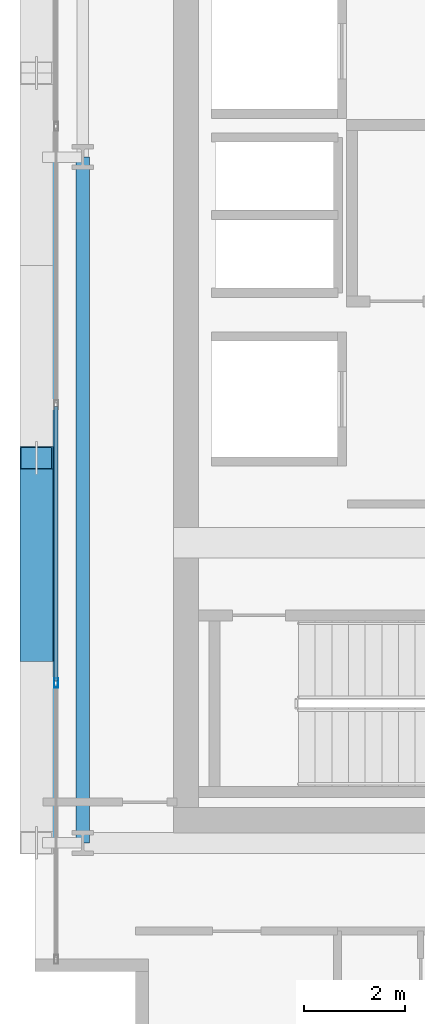
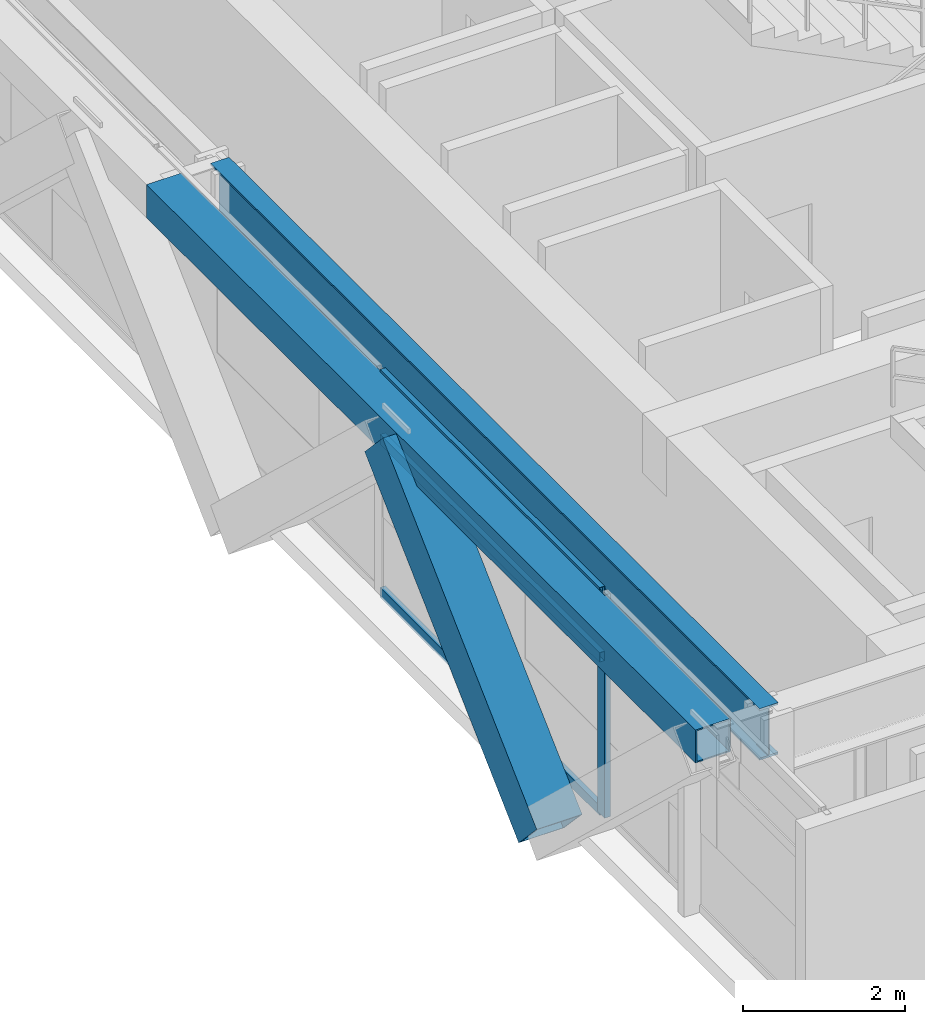
# One storey, part 4 of 32: 5 members, 2 beams, 1 element without a shape of its own.
"""IFC4 building model written with IfcOpenShell, lengths in metres."""

from ifc_helpers import new_model, si_unit, direction, frame, origin, origin_2d, place, context, subcontext, project, spatial, hollow_rectangle, i_section, extrude, source, transform, mapped, material, layer, layer_set, material_profile, profile_set, type_object, element, aggregate, save


model = new_model("IFC4")

# Units and contexts
model_context = context("Model", 3, precision=1e-05, world=origin(), true_north=direction((0.0, 1.0)))
body_context = subcontext(model_context, "Body", "Model", "MODEL_VIEW")
ifc_project = project(units=[si_unit("LENGTHUNIT", "METRE"), si_unit("AREAUNIT", "SQUARE_METRE"), si_unit("VOLUMEUNIT", "CUBIC_METRE"), si_unit("PLANEANGLEUNIT", "RADIAN"), si_unit("MASSUNIT", "GRAM", prefix="KILO")], contexts=[model_context])

# Site, building, storey
site_placement = place(None, origin())
site = spatial("IfcSite", under=ifc_project, at=site_placement, CompositionType="ELEMENT")
building_placement = place(site_placement, origin())
building = spatial("IfcBuilding", under=site, at=building_placement, Name="Ocotamira Hotel", CompositionType="ELEMENT")
storey_placement = place(building_placement, frame((0.0, 0.0, 184.800048828125)))
storey = spatial("IfcBuildingStorey", under=building, at=storey_placement, Name="L46", CompositionType="ELEMENT", Elevation=184.800048828125)

# Beams
ifc_material_1 = material(Name="Steel ASTM A992 Grade 50", Category="steel")
ifc_material_profile_1 = material_profile(ifc_material_1, i_section(OverallWidth=0.26611328125, OverallDepth=0.779052734375, WebThickness=0.0166015625, FlangeThickness=0.030029296875, FilletRadius=0.01806640625, at=origin_2d()), Name="W30X148")
ifc_profile_set_1 = profile_set([ifc_material_profile_1], Name="Steel ASTM A992 Grade 50")
beam_type_1 = type_object("IfcBeamType", Name="BM-GIRD-W30X148", PredefinedType="BEAM", material=ifc_profile_set_1)
shared_shape_1 = source(origin(), body_context, "Body", "SweptSolid", [
    extrude(i_section(OverallWidth=0.26611328125, OverallDepth=0.779052734375, WebThickness=0.0166015625, FlangeThickness=0.030029296875, FilletRadius=0.01806640625, at=origin_2d()), origin(), (0.0, 0.0, 1.0), 13.599853515625),
])
beam_1_placement = place(storey_placement, frame((8.949951171875, 14.550048828125, 2.98046875), z_axis=(0.0, 1.0, 0.0), x_axis=(-1.0, 0.0, 0.0)))
element("IfcBeam", 1, at=beam_1_placement, inside=storey, type_object=beam_type_1, Name="L46 Beam X8.95 Y14.55-28.15", PredefinedType="BEAM", context=body_context, shape_type="MappedRepresentation", body=[
    mapped(shared_shape_1, transform((0.0, 0.0, 0.0), scale=1.0)),
])
ifc_material_2 = material(Name="Steel ASTM A500 Grade C", Category="steel")
ifc_material_profile_2 = material_profile(ifc_material_2, hollow_rectangle(XDim=0.5, YDim=0.5, WallThickness=0.02001953125, at=origin_2d()), Name="HSS500X500X20")
ifc_profile_set_2 = profile_set([ifc_material_profile_2], Name="Steel ASTM A500 Grade C")
beam_type_2 = type_object("IfcBeamType", Name="BM-SPAN-HSS500", PredefinedType="USERDEFINED", material=ifc_profile_set_2)
shared_shape_2 = source(origin(), body_context, "Body", "SweptSolid", [
    extrude(hollow_rectangle(XDim=0.5, YDim=0.5, WallThickness=0.02001953125, at=origin_2d()), origin(), (0.0, 0.0, 1.0), 13.599853515625),
])
beam_2_placement = place(storey_placement, frame((8.14990234375, 14.550048828125, 3.119873046875), z_axis=(0.0, 1.0, 0.0), x_axis=(-1.0, 0.0, 0.0)))
element("IfcBeam", 2, at=beam_2_placement, inside=storey, type_object=beam_type_2, Name="L46 Edge Spandrel W Y14.55-28.15", ObjectType="SPANDREL", PredefinedType="USERDEFINED", context=body_context, shape_type="MappedRepresentation", body=[
    mapped(shared_shape_2, transform((0.0, 0.0, 0.0), scale=1.0)),
])

# Member
ifc_material_3 = material(Name="Pale-metal coated steel ASTM A913 Grade 65", Category="steel")
ifc_material_profile_3 = material_profile(ifc_material_3, hollow_rectangle(XDim=0.64990234375, YDim=0.64990234375, WallThickness=0.02197265625, at=origin_2d()), Name="BOX650X650X22")
ifc_profile_set_3 = profile_set([ifc_material_profile_3], Name="Pale-metal coated steel ASTM A913 Grade 65")
member_type_1 = type_object("IfcMemberType", Name="MEM-EXO-BOX650", PredefinedType="BRACE", material=ifc_profile_set_3)
shared_shape_3 = source(origin(), body_context, "Body", "SweptSolid", [
    extrude(hollow_rectangle(XDim=0.64990234375, YDim=0.64990234375, WallThickness=0.02197265625, at=origin_2d()), origin(), (0.0, 0.0, 1.0), 5.24658203125),
])
member_1_placement = place(storey_placement, frame((8.030029296875, 18.36669921875, -0.47998046875), z_axis=(0.0, 0.72746596067, 0.686143772154), x_axis=(-1.0, 0.0, 0.0)))
element("IfcMember", 3, at=member_1_placement, inside=storey, type_object=member_type_1, Name="L46 Exoskeleton Diagrid W0.2", PredefinedType="BRACE", context=body_context, shape_type="MappedRepresentation", body=[
    mapped(shared_shape_3, transform((0.0, 0.0, 0.0), scale=1.0)),
])

# Curtain wall, members
ifc_material_4 = material(Name="Anodised pale-metal aluminium and solar glass", Category="aluminium")
ifc_layer = layer(ifc_material_4, 0.199951171875)
ifc_layer_set = layer_set([ifc_layer], Name="Anodised pale-metal aluminium and solar glass")
curtain_wall_type = type_object("IfcCurtainWallType", Name="CW-SYS4-Z3", PredefinedType="NOTDEFINED", material=ifc_layer_set)
curtain_wall_placement = place(storey_placement, origin())
curtain_wall = element("IfcCurtainWall", 4, at=curtain_wall_placement, inside=storey, type_object=curtain_wall_type, Name="L46 Curtain Wall CW-4 CW-L46-W", PredefinedType="NOTDEFINED")
ifc_material_5 = material(Name="Anodised pale-metal aluminium 6063-T6", Category="aluminium")
ifc_material_profile_4 = material_profile(ifc_material_5, hollow_rectangle(XDim=0.074951171875, YDim=0.14990234375, WallThickness=0.006103515625, at=origin_2d()), Name="HSS150X75X6")
ifc_profile_set_4 = profile_set([ifc_material_profile_4], Name="Anodised pale-metal aluminium 6063-T6")
member_type_2 = type_object("IfcMemberType", Name="CWT-150X75", PredefinedType="USERDEFINED", material=ifc_profile_set_4)
shared_shape_4 = source(origin(), body_context, "Body", "SweptSolid", [
    extrude(hollow_rectangle(XDim=0.074951171875, YDim=0.14990234375, WallThickness=0.006103515625, at=origin_2d()), origin(), (0.0, 0.0, 1.0), 5.43994140625),
])
member_2_placement = place(storey_placement, frame((8.419921875, 17.760009765625, 0.037353515625), z_axis=(0.0, 1.0, 0.0), x_axis=(-1.0, 0.0, 0.0)))
member_2 = element("IfcMember", 5, at=member_2_placement, type_object=member_type_2, Name="CW-4 transom 2.1", ObjectType="TRANSOM", PredefinedType="USERDEFINED", context=body_context, shape_type="MappedRepresentation", body=[
    mapped(shared_shape_4, transform((0.0, 0.0, 0.0), scale=1.0)),
])
member_3_placement = place(storey_placement, frame((8.419921875, 17.760009765625, 2.349853515625), z_axis=(0.0, 1.0, 0.0), x_axis=(-1.0, 0.0, 0.0)))
member_3 = element("IfcMember", 6, at=member_3_placement, type_object=member_type_2, Name="CW-4 transom 2.2", ObjectType="TRANSOM", PredefinedType="USERDEFINED", context=body_context, shape_type="MappedRepresentation", body=[
    mapped(shared_shape_4, transform((0.0, 0.0, 0.0), scale=1.0)),
])
member_4_placement = place(storey_placement, frame((8.419921875, 17.760009765625, 3.33251953125), z_axis=(0.0, 1.0, 0.0), x_axis=(-1.0, 0.0, 0.0)))
member_4 = element("IfcMember", 7, at=member_4_placement, type_object=member_type_2, Name="CW-4 transom 2.3", ObjectType="TRANSOM", PredefinedType="USERDEFINED", context=body_context, shape_type="MappedRepresentation", body=[
    mapped(shared_shape_4, transform((0.0, 0.0, 0.0), scale=1.0)),
])
ifc_material_profile_5 = material_profile(ifc_material_5, hollow_rectangle(XDim=0.080078125, YDim=0.179931640625, WallThickness=0.006103515625, at=origin_2d()), Name="HSS180X80X6")
ifc_profile_set_5 = profile_set([ifc_material_profile_5], Name="Anodised pale-metal aluminium 6063-T6")
member_type_3 = type_object("IfcMemberType", Name="CWM-180X75", PredefinedType="MULLION", material=ifc_profile_set_5)
shared_shape_5 = source(origin(), body_context, "Body", "SweptSolid", [
    extrude(hollow_rectangle(XDim=0.080078125, YDim=0.179931640625, WallThickness=0.006103515625, at=origin_2d()), origin(), (0.0, 0.0, 1.0), 3.369873046875),
])
member_5_placement = place(storey_placement, frame((8.419921875, 17.719970703125, 0.0), z_axis=(0.0, 0.0, 1.0), x_axis=(-1.0, 0.0, 0.0)))
member_5 = element("IfcMember", 8, at=member_5_placement, type_object=member_type_3, Name="CW-4 mullion 2", PredefinedType="MULLION", context=body_context, shape_type="MappedRepresentation", body=[
    mapped(shared_shape_5, transform((0.0, 0.0, 0.0), scale=1.0)),
])
aggregate(curtain_wall, [member_5, member_2, member_3, member_4])

save(model, "model.ifc")
